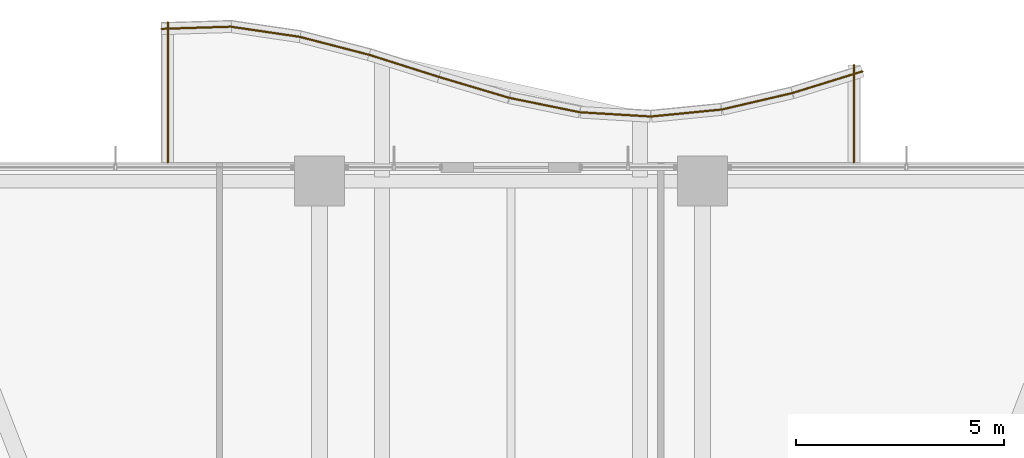
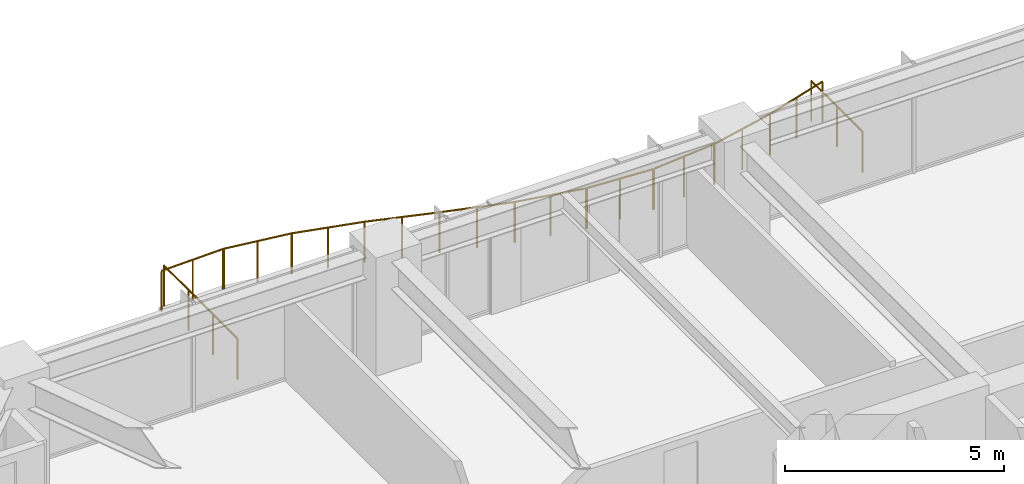
# One storey, part 38 of 38: 12 railings.
"""IFC4 building model written with IfcOpenShell, lengths in metres."""

from ifc_helpers import new_model, si_unit, direction, frame, origin, origin_2d, place, context, subcontext, project, spatial, circle, extrude, material, type_object, element, save


model = new_model("IFC4")

# Units and contexts
model_context = context("Model", 3, precision=1e-05, world=origin(), true_north=direction((0.0, 1.0)))
body_context = subcontext(model_context, "Body", "Model", "MODEL_VIEW")
ifc_project = project(units=[si_unit("LENGTHUNIT", "METRE"), si_unit("AREAUNIT", "SQUARE_METRE"), si_unit("VOLUMEUNIT", "CUBIC_METRE"), si_unit("PLANEANGLEUNIT", "RADIAN"), si_unit("MASSUNIT", "GRAM", prefix="KILO")], contexts=[model_context])

# Site, building, storey
site_placement = place(None, origin())
site = spatial("IfcSite", under=ifc_project, at=site_placement, CompositionType="ELEMENT")
building_placement = place(site_placement, origin())
building = spatial("IfcBuilding", under=site, at=building_placement, Name="Kolvaren Belvedere", CompositionType="ELEMENT")
storey_placement = place(building_placement, frame((0.0, 0.0, 30.39990234375)))
storey = spatial("IfcBuildingStorey", under=building, at=storey_placement, Name="L08", CompositionType="ELEMENT", Elevation=30.39990234375)

# Railings
ifc_material = material(Name="Anodised pale-metal aluminium & laminated glass guard", Category="aluminium")
railing_type = type_object("IfcRailingType", Name="RL-GUARD-1150", PredefinedType="GUARDRAIL", material=ifc_material)
railing_1_placement = place(storey_placement, frame((8.239990234375, 22.0, 0.360107421875)))
element("IfcRailing", 1, at=railing_1_placement, inside=storey, type_object=railing_type, Name="L08 Exterior Deck Safety Guard BAL-N-11", PredefinedType="GUARDRAIL", context=body_context, shape_type="SweptSolid", body=[
    extrude(circle(Radius=0.02392578125, at=origin_2d()), frame((0.0, 0.0, 1.1259765625), z_axis=(0.0, 1.0, 0.0), x_axis=(-1.0, 0.0, 0.0)), (0.0, 0.0, 1.0), 2.340087890625),
    extrude(circle(Radius=0.02099609375, at=origin_2d()), origin(), (0.0, 0.0, 1.0), 1.101806640625),
    extrude(circle(Radius=0.02099609375, at=origin_2d()), frame((0.0, 1.169921875, 0.0)), (0.0, 0.0, 1.0), 1.101806640625),
    extrude(circle(Radius=0.02099609375, at=origin_2d()), frame((0.0, 2.340087890625, 0.0)), (0.0, 0.0, 1.0), 1.101806640625),
])
railing_2_placement = place(storey_placement, frame((8.447265625, 24.187255859375, 0.360107421875)))
element("IfcRailing", 2, at=railing_2_placement, inside=storey, type_object=railing_type, Name="L08 Exterior Deck Safety Guard BAL-N-12", PredefinedType="GUARDRAIL", context=body_context, shape_type="SweptSolid", body=[
    extrude(circle(Radius=0.02392578125, at=origin_2d()), frame((0.0, 0.0, 1.1259765625), z_axis=(-0.95524013163, -0.295831524561, 0.0), x_axis=(0.295831524561, -0.95524013163, 0.0)), (0.0, 0.0, 1.0), 1.758544921875),
    extrude(circle(Radius=0.02099609375, at=origin_2d()), origin(), (0.0, 0.0, 1.0), 1.101806640625),
    extrude(circle(Radius=0.02099609375, at=origin_2d()), frame((-0.83984375, -0.26025390625, 0.0)), (0.0, 0.0, 1.0), 1.101806640625),
    extrude(circle(Radius=0.02099609375, at=origin_2d()), frame((-1.679931640625, -0.520263671875, 0.0)), (0.0, 0.0, 1.0), 1.101806640625),
])
railing_3_placement = place(storey_placement, frame((6.75634765625, 23.663818359375, 0.360107421875)))
element("IfcRailing", 3, at=railing_3_placement, inside=storey, type_object=railing_type, Name="L08 Exterior Deck Safety Guard BAL-N-13", PredefinedType="GUARDRAIL", context=body_context, shape_type="SweptSolid", body=[
    extrude(circle(Radius=0.02392578125, at=origin_2d()), frame((0.0, 0.0, 1.1259765625), z_axis=(-0.973890253884, -0.227019323824, 0.0), x_axis=(0.227019323824, -0.973890253884, 0.0)), (0.0, 0.0, 1.0), 1.724853515625),
    extrude(circle(Radius=0.02099609375, at=origin_2d()), origin(), (0.0, 0.0, 1.0), 1.101806640625),
    extrude(circle(Radius=0.02099609375, at=origin_2d()), frame((-0.83984375, -0.19580078125, 0.0)), (0.0, 0.0, 1.0), 1.101806640625),
    extrude(circle(Radius=0.02099609375, at=origin_2d()), frame((-1.679931640625, -0.3916015625, 0.0)), (0.0, 0.0, 1.0), 1.101806640625),
])
railing_4_placement = place(storey_placement, frame((5.0556640625, 23.268798828125, 0.360107421875)))
element("IfcRailing", 4, at=railing_4_placement, inside=storey, type_object=railing_type, Name="L08 Exterior Deck Safety Guard BAL-N-14", PredefinedType="GUARDRAIL", context=body_context, shape_type="SweptSolid", body=[
    extrude(circle(Radius=0.02392578125, at=origin_2d()), frame((0.0, 0.0, 1.1259765625), z_axis=(-0.995152499202, -0.098343801694, 0.0), x_axis=(0.098343801694, -0.995152499202, 0.0)), (0.0, 0.0, 1.0), 1.688232421875),
    extrude(circle(Radius=0.02099609375, at=origin_2d()), origin(), (0.0, 0.0, 1.0), 1.101806640625),
    extrude(circle(Radius=0.02099609375, at=origin_2d()), frame((-0.83984375, -0.0830078125, 0.0)), (0.0, 0.0, 1.0), 1.101806640625),
    extrude(circle(Radius=0.02099609375, at=origin_2d()), frame((-1.679931640625, -0.166015625, 0.0)), (0.0, 0.0, 1.0), 1.101806640625),
])
railing_5_placement = place(storey_placement, frame((3.350341796875, 23.102294921875, 0.360107421875)))
element("IfcRailing", 5, at=railing_5_placement, inside=storey, type_object=railing_type, Name="L08 Exterior Deck Safety Guard BAL-N-15", PredefinedType="GUARDRAIL", context=body_context, shape_type="SweptSolid", body=[
    extrude(circle(Radius=0.02392578125, at=origin_2d()), frame((0.0, 0.0, 1.1259765625), z_axis=(-0.998203631072, 0.059912527196, 0.0), x_axis=(-0.059912527196, -0.998203631072, 0.0)), (0.0, 0.0, 1.0), 1.682861328125),
    extrude(circle(Radius=0.02099609375, at=origin_2d()), origin(), (0.0, 0.0, 1.0), 1.101806640625),
    extrude(circle(Radius=0.02099609375, at=origin_2d()), frame((-0.83984375, 0.05029296875, 0.0)), (0.0, 0.0, 1.0), 1.101806640625),
    extrude(circle(Radius=0.02099609375, at=origin_2d()), frame((-1.679931640625, 0.100830078125, 0.0)), (0.0, 0.0, 1.0), 1.101806640625),
])
railing_6_placement = place(storey_placement, frame((1.64794921875, 23.2060546875, 0.360107421875)))
element("IfcRailing", 6, at=railing_6_placement, inside=storey, type_object=railing_type, Name="L08 Exterior Deck Safety Guard BAL-N-16", PredefinedType="GUARDRAIL", context=body_context, shape_type="SweptSolid", body=[
    extrude(circle(Radius=0.02392578125, at=origin_2d()), frame((0.0, 0.0, 1.1259765625), z_axis=(-0.979867779516, 0.199647526069, 0.0), x_axis=(-0.199647526069, -0.979867779516, 0.0)), (0.0, 0.0, 1.0), 1.71435546875),
    extrude(circle(Radius=0.02099609375, at=origin_2d()), origin(), (0.0, 0.0, 1.0), 1.101806640625),
    extrude(circle(Radius=0.02099609375, at=origin_2d()), frame((-0.83984375, 0.171142578125, 0.0)), (0.0, 0.0, 1.0), 1.101806640625),
    extrude(circle(Radius=0.02099609375, at=origin_2d()), frame((-1.679931640625, 0.34228515625, 0.0)), (0.0, 0.0, 1.0), 1.101806640625),
])
railing_7_placement = place(storey_placement, frame((-0.045654296875, 23.5517578125, 0.360107421875)))
element("IfcRailing", 7, at=railing_7_placement, inside=storey, type_object=railing_type, Name="L08 Exterior Deck Safety Guard BAL-N-17", PredefinedType="GUARDRAIL", context=body_context, shape_type="SweptSolid", body=[
    extrude(circle(Radius=0.02392578125, at=origin_2d()), frame((0.0, 0.0, 1.1259765625), z_axis=(-0.958525043221, 0.28500831833, 0.0), x_axis=(-0.28500831833, -0.958525043221, 0.0)), (0.0, 0.0, 1.0), 1.752685546875),
    extrude(circle(Radius=0.02099609375, at=origin_2d()), origin(), (0.0, 0.0, 1.0), 1.101806640625),
    extrude(circle(Radius=0.02099609375, at=origin_2d()), frame((-0.83984375, 0.249755859375, 0.0)), (0.0, 0.0, 1.0), 1.101806640625),
    extrude(circle(Radius=0.02099609375, at=origin_2d()), frame((-1.679931640625, 0.49951171875, 0.0)), (0.0, 0.0, 1.0), 1.101806640625),
])
railing_8_placement = place(storey_placement, frame((-1.728515625, 24.052001953125, 0.360107421875)))
element("IfcRailing", 8, at=railing_8_placement, inside=storey, type_object=railing_type, Name="L08 Exterior Deck Safety Guard BAL-N-18", PredefinedType="GUARDRAIL", context=body_context, shape_type="SweptSolid", body=[
    extrude(circle(Radius=0.02392578125, at=origin_2d()), frame((0.0, 0.0, 1.1259765625), z_axis=(-0.953142020151, 0.302523204768, 0.0), x_axis=(-0.302523204768, -0.953142020151, 0.0)), (0.0, 0.0, 1.0), 1.762451171875),
    extrude(circle(Radius=0.02099609375, at=origin_2d()), origin(), (0.0, 0.0, 1.0), 1.101806640625),
    extrude(circle(Radius=0.02099609375, at=origin_2d()), frame((-0.83984375, 0.2666015625, 0.0)), (0.0, 0.0, 1.0), 1.101806640625),
    extrude(circle(Radius=0.02099609375, at=origin_2d()), frame((-1.679931640625, 0.533203125, 0.0)), (0.0, 0.0, 1.0), 1.101806640625),
])
railing_9_placement = place(storey_placement, frame((-3.400146484375, 24.582763671875, 0.360107421875)))
element("IfcRailing", 9, at=railing_9_placement, inside=storey, type_object=railing_type, Name="L08 Exterior Deck Safety Guard BAL-N-19", PredefinedType="GUARDRAIL", context=body_context, shape_type="SweptSolid", body=[
    extrude(circle(Radius=0.02392578125, at=origin_2d()), frame((0.0, 0.0, 1.1259765625), z_axis=(-0.968132209145, 0.250439664624, 0.0), x_axis=(-0.250439664624, -0.968132209145, 0.0)), (0.0, 0.0, 1.0), 1.7353515625),
    extrude(circle(Radius=0.02099609375, at=origin_2d()), origin(), (0.0, 0.0, 1.0), 1.101806640625),
    extrude(circle(Radius=0.02099609375, at=origin_2d()), frame((-0.83984375, 0.21728515625, 0.0)), (0.0, 0.0, 1.0), 1.101806640625),
    extrude(circle(Radius=0.02099609375, at=origin_2d()), frame((-1.679931640625, 0.4345703125, 0.0)), (0.0, 0.0, 1.0), 1.101806640625),
])
railing_10_placement = place(storey_placement, frame((-5.063232421875, 25.013916015625, 0.360107421875)))
element("IfcRailing", 10, at=railing_10_placement, inside=storey, type_object=railing_type, Name="L08 Exterior Deck Safety Guard BAL-N-20", PredefinedType="GUARDRAIL", context=body_context, shape_type="SweptSolid", body=[
    extrude(circle(Radius=0.02392578125, at=origin_2d()), frame((0.0, 0.0, 1.1259765625), z_axis=(-0.98929818871, 0.145907826437, 0.0), x_axis=(-0.145907826437, -0.98929818871, 0.0)), (0.0, 0.0, 1.0), 1.6982421875),
    extrude(circle(Radius=0.02099609375, at=origin_2d()), origin(), (0.0, 0.0, 1.0), 1.101806640625),
    extrude(circle(Radius=0.02099609375, at=origin_2d()), frame((-0.840087890625, 0.1240234375, 0.0)), (0.0, 0.0, 1.0), 1.101806640625),
    extrude(circle(Radius=0.02099609375, at=origin_2d()), frame((-1.68017578125, 0.247802734375, 0.0)), (0.0, 0.0, 1.0), 1.101806640625),
])
railing_11_placement = place(storey_placement, frame((-6.715087890625, 25.260009765625, 0.360107421875)))
element("IfcRailing", 11, at=railing_11_placement, inside=storey, type_object=railing_type, Name="L08 Exterior Deck Safety Guard BAL-N-21", PredefinedType="GUARDRAIL", context=body_context, shape_type="SweptSolid", body=[
    extrude(circle(Radius=0.02392578125, at=origin_2d()), frame((0.0, 0.0, 1.1259765625), z_axis=(-0.999507673088, -0.031375331694, 0.0), x_axis=(0.031375331694, -0.999507673088, 0.0)), (0.0, 0.0, 1.0), 1.6806640625),
    extrude(circle(Radius=0.02099609375, at=origin_2d()), origin(), (0.0, 0.0, 1.0), 1.101806640625),
    extrude(circle(Radius=0.02099609375, at=origin_2d()), frame((-0.83984375, -0.0263671875, 0.0)), (0.0, 0.0, 1.0), 1.101806640625),
    extrude(circle(Radius=0.02099609375, at=origin_2d()), frame((-1.679931640625, -0.052734375, 0.0)), (0.0, 0.0, 1.0), 1.101806640625),
])
railing_12_placement = place(storey_placement, frame((-8.239990234375, 25.3671875, 0.360107421875)))
element("IfcRailing", 12, at=railing_12_placement, inside=storey, type_object=railing_type, Name="L08 Exterior Deck Safety Guard BAL-N-22", PredefinedType="GUARDRAIL", context=body_context, shape_type="SweptSolid", body=[
    extrude(circle(Radius=0.02392578125, at=origin_2d()), frame((0.0, 0.0, 1.1259765625), z_axis=(0.0, -1.0, 0.0), x_axis=(1.0, 0.0, 0.0)), (0.0, 0.0, 1.0), 3.3671875),
    extrude(circle(Radius=0.02099609375, at=origin_2d()), origin(), (0.0, 0.0, 1.0), 1.101806640625),
    extrude(circle(Radius=0.02099609375, at=origin_2d()), frame((0.0, -1.122314453125, 0.0)), (0.0, 0.0, 1.0), 1.101806640625),
    extrude(circle(Radius=0.02099609375, at=origin_2d()), frame((0.0, -2.244873046875, 0.0)), (0.0, 0.0, 1.0), 1.101806640625),
    extrude(circle(Radius=0.02099609375, at=origin_2d()), frame((0.0, -3.3671875, 0.0)), (0.0, 0.0, 1.0), 1.101806640625),
])

save(model, "model.ifc")
